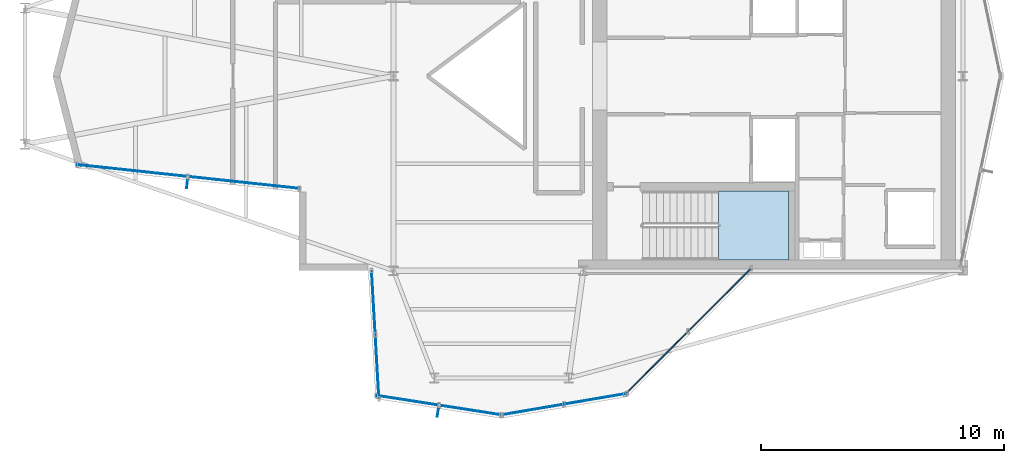
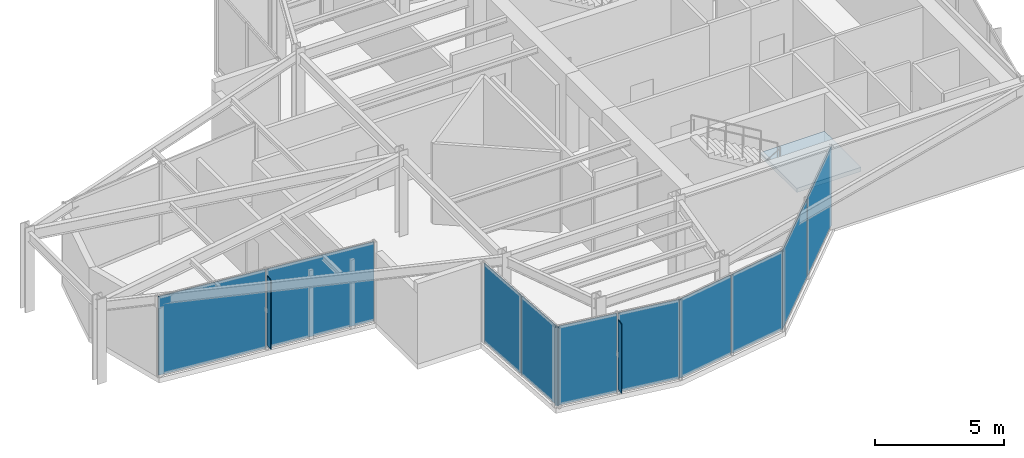
# One storey, part 8 of 13: 12 plates, 1 slab, 6 elements without a shape of their own.
"""IFC4 building model written with IfcOpenShell, lengths in metres."""

import ifcopenshell
import ifcopenshell.guid

model = None  # the IFC model being written
_history = None  # IfcOwnerHistory: only IFC2X3 demands one
_inside = {}  # id of a spatial element -> (the spatial element, [elements in it])
_under = {}  # id of a project, library or spatial element -> (it, [spatial elements below it])
_declared = {}  # id of a project -> (the project, [libraries it declares])
_typed = {}  # id of a type object -> (the type object, [elements of that type])
_made_of = {}  # id of a material, layer set ... -> (it, [elements and type objects made of it])


def new_model(schema):
    """Start an empty IFC model of exactly this schema.

    Asked for "IFC4X3", IfcOpenShell would pick the latest addendum, in which some entities
    have other attributes; the version numbers below select the first issue.
    IFC2X3 requires an IfcOwnerHistory on every rooted entity: one is made here for all.
    """
    global model, _history
    if schema == "IFC4X3":
        model = ifcopenshell.file(schema_version=(4, 3, 0, 0))
    else:
        model = ifcopenshell.file(schema=schema)
    _inside.clear()
    _under.clear()
    _declared.clear()
    _typed.clear()
    _made_of.clear()
    _history = None
    if model.schema == "IFC2X3":
        org = make("IfcOrganization", Name="unknown")
        user = make(
            "IfcPersonAndOrganization",
            ThePerson=make("IfcPerson", FamilyName="unknown"),
            TheOrganization=org,
        )
        app = make(
            "IfcApplication",
            ApplicationDeveloper=org,
            Version="unknown",
            ApplicationFullName="unknown",
            ApplicationIdentifier="unknown",
        )
        _history = make(
            "IfcOwnerHistory",
            OwningUser=user,
            OwningApplication=app,
            ChangeAction="ADDED",
            CreationDate=0,
        )
    return model


def make(cls, **values):
    """One entity of the class cls with the attributes given. An attribute that is None is left unset."""
    return model.create_entity(
        cls, **{name: value for name, value in values.items() if value is not None}
    )


def rooted(cls, **values):
    """An entity with a GlobalId (a new one), such as an element, a storey or a relation."""
    return make(cls, GlobalId=ifcopenshell.guid.new(), OwnerHistory=_history, **values)


def si_unit(unit_type, name, prefix=None):
    """IfcSIUnit, for example si_unit("LENGTHUNIT", "METRE", prefix="MILLI")."""
    return make("IfcSIUnit", UnitType=unit_type, Prefix=prefix, Name=name)


def assignment(units):
    """IfcUnitAssignment: the units of a project."""
    return None if units is None else make("IfcUnitAssignment", Units=units)


def point(xyz):
    """IfcCartesianPoint."""
    return None if xyz is None else make("IfcCartesianPoint", Coordinates=xyz)


def direction(xyz):
    """IfcDirection."""
    return None if xyz is None else make("IfcDirection", DirectionRatios=xyz)


def frame(location, z_axis=None, x_axis=None):
    """IfcAxis2Placement3D, a coordinate frame: its origin and axes. An axis left out is left unset."""
    return make(
        "IfcAxis2Placement3D",
        Location=point(location),
        Axis=direction(z_axis),
        RefDirection=direction(x_axis),
    )


def frame_2d(location, x_axis=None):
    """IfcAxis2Placement2D, a coordinate frame in the plane: its origin and x axis."""
    return make(
        "IfcAxis2Placement2D", Location=point(location), RefDirection=direction(x_axis)
    )


def origin():
    """The frame at (0, 0, 0) with its axes left unset."""
    return frame((0.0, 0.0, 0.0))


def origin_2d():
    """The frame at (0, 0) in the plane with its x axis left unset."""
    return frame_2d((0.0, 0.0))


def place(relative_to, where):
    """IfcLocalPlacement: puts the frame where relative to a parent placement (None: the world)."""
    return make(
        "IfcLocalPlacement", PlacementRelTo=relative_to, RelativePlacement=where
    )


def context(
    kind, dimensions, precision=None, world=None, true_north=None, identifier=None
):
    """IfcGeometricRepresentationContext, for example the 3D "Model" context."""
    return make(
        "IfcGeometricRepresentationContext",
        ContextIdentifier=identifier,
        ContextType=kind,
        CoordinateSpaceDimension=dimensions,
        Precision=precision,
        WorldCoordinateSystem=world,
        TrueNorth=true_north,
    )


def subcontext(parent, identifier, kind, view, scale=None):
    """IfcGeometricRepresentationSubContext, for example "Body" below "Model"."""
    return make(
        "IfcGeometricRepresentationSubContext",
        ContextIdentifier=identifier,
        ContextType=kind,
        ParentContext=parent,
        TargetScale=scale,
        TargetView=view,
    )


def project(units=None, contexts=None):
    """IfcProject with its units and contexts."""
    return rooted(
        "IfcProject",
        Name="project",
        RepresentationContexts=contexts,
        UnitsInContext=assignment(units),
    )


def spatial(cls, under=None, at=None, **own):
    """A site, building, storey or space (cls), placed at a placement, below another one or the project."""
    s = rooted(cls, ObjectPlacement=at, **own)
    if under is not None:
        _under.setdefault(under.id(), (under, []))[1].append(s)
    return s


def polyline(points):
    """IfcPolyline through the points."""
    return make("IfcPolyline", Points=[point(p) for p in points])


def profile(cls, at=None, kind="AREA", **sizes):
    """A parametric profile (cls). Its sizes go by their IFC names, for example OverallWidth=200.0."""
    return make(cls, ProfileType=kind, Position=at, **sizes)


def rectangle(**sizes):
    """IfcRectangleProfileDef."""
    return profile("IfcRectangleProfileDef", **sizes)


def outline(outer, holes=None, kind="AREA"):
    """IfcArbitraryClosedProfileDef: a profile drawn as a closed curve; with holes, ...WithVoids."""
    if holes is None:
        return make("IfcArbitraryClosedProfileDef", ProfileType=kind, OuterCurve=outer)
    return make(
        "IfcArbitraryProfileDefWithVoids",
        ProfileType=kind,
        OuterCurve=outer,
        InnerCurves=holes,
    )


def extrude(swept, where, along, depth):
    """IfcExtrudedAreaSolid: the profile swept, set in the frame where, extruded along a direction by depth."""
    return make(
        "IfcExtrudedAreaSolid",
        SweptArea=swept,
        Position=where,
        ExtrudedDirection=direction(along),
        Depth=depth,
    )


def shape(context_of_items, identifier, shape_type, items):
    """IfcShapeRepresentation: the items that make up one representation, for example the "Body"."""
    return make(
        "IfcShapeRepresentation",
        ContextOfItems=context_of_items,
        RepresentationIdentifier=identifier,
        RepresentationType=shape_type,
        Items=items,
    )


def material(Name=None, Category=None):
    """IfcMaterial."""
    return make("IfcMaterial", Name=Name, Category=Category)


def layer(
    of_material, thickness, ventilated=None, Name=None, Category=None, Priority=None
):
    """IfcMaterialLayer: one layer of a wall or slab, of a material (None: an air gap)."""
    return make(
        "IfcMaterialLayer",
        Material=of_material,
        LayerThickness=thickness,
        IsVentilated=ventilated,
        Name=Name,
        Category=Category,
        Priority=Priority,
    )


def layer_set(layers, Name=None):
    """IfcMaterialLayerSet."""
    return make("IfcMaterialLayerSet", MaterialLayers=layers, LayerSetName=Name)


def made_of(thing, what):
    """Note that an element or type object is made of a material, layer set ...; save() writes the relation."""
    if what is not None:
        _made_of.setdefault(what.id(), (what, []))[1].append(thing)
    return thing


def type_object(cls, material=None, **own):
    """A type object (cls), such as IfcWallType, which elements share."""
    return made_of(rooted(cls, **own), material)


def element(
    cls,
    number,
    at=None,
    inside=None,
    cuts=None,
    type_object=None,
    material=None,
    context=None,
    identifier="Body",
    shape_type=None,
    held_by="IfcProductDefinitionShape",
    body=None,
    shapes=None,
    **own,
):
    """One element of the class cls, such as IfcWall. Its Tag is "e" and its number.

    at: its placement. inside: the storey or other place that contains it. cuts: it is an
    opening in that element (IfcRelVoidsElement). A single representation is given by context,
    identifier, shape_type and body (its items); several are given by shapes. held_by: the class
    of the entity that holds the representations. save() writes the other relations.
    """
    e = rooted(cls, Tag="e%d" % number, ObjectPlacement=at, **own)
    if body is not None:
        shapes = [shape(context, identifier, shape_type, body)]
    if shapes is not None:
        e.Representation = make(held_by, Representations=shapes)
    if inside is not None:
        _inside.setdefault(inside.id(), (inside, []))[1].append(e)
    if cuts is not None:
        rooted(
            "IfcRelVoidsElement", RelatingBuildingElement=cuts, RelatedOpeningElement=e
        )
    if type_object is not None:
        _typed.setdefault(type_object.id(), (type_object, []))[1].append(e)
    return made_of(e, material)


def aggregate(whole, parts):
    """IfcRelAggregates: a whole, such as a stair, and the parts it consists of."""
    return rooted("IfcRelAggregates", RelatingObject=whole, RelatedObjects=parts)


def save(model, path):
    """Write the relations noted so far, then the file.

    IfcRelAggregates (storeys below a building ...), IfcRelContainedInSpatialStructure (elements
    in a storey), IfcRelDefinesByType, IfcRelAssociatesMaterial and IfcRelDeclares: one each for
    every whole, place, type object, material and project.
    """
    for whole, parts in _under.values():
        aggregate(whole, parts)
    for where, things in _inside.values():
        rooted(
            "IfcRelContainedInSpatialStructure",
            RelatedElements=things,
            RelatingStructure=where,
        )
    for kind, things in _typed.values():
        rooted("IfcRelDefinesByType", RelatedObjects=things, RelatingType=kind)
    for what, things in _made_of.values():
        rooted("IfcRelAssociatesMaterial", RelatedObjects=things, RelatingMaterial=what)
    for by, libraries in _declared.values():
        rooted("IfcRelDeclares", RelatingContext=by, RelatedDefinitions=libraries)
    model.write(path)


model = new_model("IFC4")

# Units and contexts
model_context = context("Model", 3, precision=1e-05, world=origin(), true_north=direction((0.0, 1.0)))
body_context = subcontext(model_context, "Body", "Model", "MODEL_VIEW")
ifc_project = project(units=[si_unit("LENGTHUNIT", "METRE"), si_unit("AREAUNIT", "SQUARE_METRE"), si_unit("VOLUMEUNIT", "CUBIC_METRE"), si_unit("PLANEANGLEUNIT", "RADIAN"), si_unit("MASSUNIT", "GRAM", prefix="KILO")], contexts=[model_context])

# Site, building, storey
site_placement = place(None, origin())
site = spatial("IfcSite", under=ifc_project, at=site_placement, CompositionType="ELEMENT")
building_placement = place(site_placement, origin())
building = spatial("IfcBuilding", under=site, at=building_placement, Name="Veymaron Broadcast Tower", CompositionType="ELEMENT")
storey_placement = place(building_placement, frame((0.0, 0.0, 303.300048828125)))
storey = spatial("IfcBuildingStorey", under=building, at=storey_placement, Name="L71", CompositionType="ELEMENT", Elevation=303.300048828125)

# Curtain wall, plates
ifc_material_1 = material(Name="Anodised aluminium AA 6063-T6 and laminated low-E dark glass", Category="aluminium")
ifc_layer_1 = layer(ifc_material_1, 0.179931640625)
ifc_layer_set_1 = layer_set([ifc_layer_1], Name="Anodised aluminium AA 6063-T6 and laminated low-E dark glass")
curtain_wall_type = type_object("IfcCurtainWallType", Name="CW-SYS-06", PredefinedType="NOTDEFINED", material=ifc_layer_set_1)
curtain_wall_1_placement = place(storey_placement, origin())
curtain_wall_1 = element("IfcCurtainWall", 1, at=curtain_wall_1_placement, inside=storey, type_object=curtain_wall_type, Name="L71 dark-glass curtain wall CW-L71-E14-1", PredefinedType="NOTDEFINED")
ifc_material_2 = material(Name="Insulated dark-anodised aluminium spandrel panel 40 mm", Category="aluminium")
ifc_layer_2 = layer(ifc_material_2, 0.0400390625)
ifc_layer_set_2 = layer_set([ifc_layer_2], Name="Insulated dark-anodised aluminium spandrel panel 40 mm")
plate_type_1 = type_object("IfcPlateType", Name="CW-PNL-03", PredefinedType="CURTAIN_PANEL", material=ifc_layer_set_2)
plate_1_placement = place(storey_placement, frame((20.46337890625, 20.114013671875, 0.0400390625), z_axis=(0.0, 0.0, 1.0), x_axis=(0.994321239945, -0.106420260264, 0.0)))
plate_1 = element("IfcPlate", 2, at=plate_1_placement, type_object=plate_type_1, Name="CW-L71-E14-1 unitised curtain panel 0", PredefinedType="CURTAIN_PANEL", context=body_context, shape_type="SweptSolid", body=[
    extrude(rectangle(XDim=4.54296875, YDim=0.0400390625, at=origin_2d()), origin(), (0.0, 0.0, 1.0), 3.72998046875),
])
plate_2_placement = place(storey_placement, frame((25.0400390625, 19.624267578125, 0.0400390625), z_axis=(0.0, 0.0, 1.0), x_axis=(0.994321239945, -0.106420260264, 0.0)))
plate_2 = element("IfcPlate", 3, at=plate_2_placement, type_object=plate_type_1, Name="CW-L71-E14-1 unitised curtain panel 1", PredefinedType="CURTAIN_PANEL", context=body_context, shape_type="SweptSolid", body=[
    extrude(rectangle(XDim=4.54296875, YDim=0.0400390625, at=origin_2d()), origin(), (0.0, 0.0, 1.0), 3.72998046875),
])
aggregate(curtain_wall_1, [plate_1, plate_2])

curtain_wall_2_placement = place(storey_placement, origin())
curtain_wall_2 = element("IfcCurtainWall", 4, at=curtain_wall_2_placement, inside=storey, type_object=curtain_wall_type, Name="L71 dark-glass curtain wall CW-L71-E17-1", PredefinedType="NOTDEFINED")
plate_3_placement = place(storey_placement, frame((30.375732421875, 14.69189453125, 0.0400390625), z_axis=(0.0, 0.0, 1.0), x_axis=(0.057720845415, -0.998332762161, 0.0)))
plate_3 = element("IfcPlate", 5, at=plate_3_placement, type_object=plate_type_1, Name="CW-L71-E17-1 unitised curtain panel 0", PredefinedType="CURTAIN_PANEL", context=body_context, shape_type="SweptSolid", body=[
    extrude(rectangle(XDim=2.576904296875, YDim=0.0400390625, at=origin_2d()), origin(), (0.0, 0.0, 1.0), 3.72998046875),
])
plate_4_placement = place(storey_placement, frame((30.528076171875, 12.05908203125, 0.0400390625), z_axis=(0.0, 0.0, 1.0), x_axis=(0.057720845415, -0.998332762161, 0.0)))
plate_4 = element("IfcPlate", 6, at=plate_4_placement, type_object=plate_type_1, Name="CW-L71-E17-1 unitised curtain panel 1", PredefinedType="CURTAIN_PANEL", context=body_context, shape_type="SweptSolid", body=[
    extrude(rectangle(XDim=2.576904296875, YDim=0.0400390625, at=origin_2d()), origin(), (0.0, 0.0, 1.0), 3.72998046875),
])
aggregate(curtain_wall_2, [plate_3, plate_4])

curtain_wall_3_placement = place(storey_placement, origin())
curtain_wall_3 = element("IfcCurtainWall", 7, at=curtain_wall_3_placement, inside=storey, type_object=curtain_wall_type, Name="L71 dark-glass curtain wall CW-L71-E18-1", PredefinedType="NOTDEFINED")
plate_5_placement = place(storey_placement, frame((31.779052734375, 10.672119140625, 0.0400390625), z_axis=(0.0, 0.0, 1.0), x_axis=(0.988134743341, -0.153589482068, 0.0)))
plate_5 = element("IfcPlate", 8, at=plate_5_placement, type_object=plate_type_1, Name="CW-L71-E18-1 unitised curtain panel 0", PredefinedType="CURTAIN_PANEL", context=body_context, shape_type="SweptSolid", body=[
    extrude(rectangle(XDim=2.5576171875, YDim=0.0400390625, at=origin_2d()), origin(), (0.0, 0.0, 1.0), 3.72998046875),
])
plate_6_placement = place(storey_placement, frame((34.365478515625, 10.27001953125, 0.0400390625), z_axis=(0.0, 0.0, 1.0), x_axis=(0.988134743341, -0.153589482068, 0.0)))
plate_6 = element("IfcPlate", 9, at=plate_6_placement, type_object=plate_type_1, Name="CW-L71-E18-1 unitised curtain panel 1", PredefinedType="CURTAIN_PANEL", context=body_context, shape_type="SweptSolid", body=[
    extrude(rectangle(XDim=2.5576171875, YDim=0.0400390625, at=origin_2d()), origin(), (0.0, 0.0, 1.0), 3.72998046875),
])
aggregate(curtain_wall_3, [plate_5, plate_6])

curtain_wall_4_placement = place(storey_placement, origin())
curtain_wall_4 = element("IfcCurtainWall", 10, at=curtain_wall_4_placement, inside=storey, type_object=curtain_wall_type, Name="L71 dark-glass curtain wall CW-L71-E19-1", PredefinedType="NOTDEFINED")
plate_7_placement = place(storey_placement, frame((36.90673828125, 10.289794921875, 0.0400390625), z_axis=(0.0, 0.0, 1.0), x_axis=(0.985697587099, 0.168523787004, 0.0)))
plate_7 = element("IfcPlate", 11, at=plate_7_placement, type_object=plate_type_1, Name="CW-L71-E19-1 unitised curtain panel 0", PredefinedType="CURTAIN_PANEL", context=body_context, shape_type="SweptSolid", body=[
    extrude(rectangle(XDim=2.56396484375, YDim=0.0400390625, at=origin_2d()), origin(), (0.0, 0.0, 1.0), 3.72998046875),
])
plate_8_placement = place(storey_placement, frame((39.493408203125, 10.732177734375, 0.0400390625), z_axis=(0.0, 0.0, 1.0), x_axis=(0.985697587099, 0.168523787004, 0.0)))
plate_8 = element("IfcPlate", 12, at=plate_8_placement, type_object=plate_type_1, Name="CW-L71-E19-1 unitised curtain panel 1", PredefinedType="CURTAIN_PANEL", context=body_context, shape_type="SweptSolid", body=[
    extrude(rectangle(XDim=2.56396484375, YDim=0.0400390625, at=origin_2d()), origin(), (0.0, 0.0, 1.0), 3.72998046875),
])
aggregate(curtain_wall_4, [plate_7, plate_8])

curtain_wall_5_placement = place(storey_placement, origin())
curtain_wall_5 = element("IfcCurtainWall", 13, at=curtain_wall_5_placement, inside=storey, type_object=curtain_wall_type, Name="L71 dark-glass curtain wall CW-L71-E20-1", PredefinedType="NOTDEFINED")
plate_9_placement = place(storey_placement, frame((42.00830078125, 12.21044921875, 0.0400390625), z_axis=(0.0, 0.0, 1.0), x_axis=(0.707402911339, 0.706810526965, 0.0)))
plate_9 = element("IfcPlate", 14, at=plate_9_placement, type_object=plate_type_1, Name="CW-L71-E20-1 unitised curtain panel 0", PredefinedType="CURTAIN_PANEL", context=body_context, shape_type="SweptSolid", body=[
    extrude(rectangle(XDim=3.60791015625, YDim=0.0400390625, at=origin_2d()), origin(), (0.0, 0.0, 1.0), 3.72998046875),
])
plate_10_placement = place(storey_placement, frame((44.60302734375, 14.802734375, 0.0400390625), z_axis=(0.0, 0.0, 1.0), x_axis=(0.707402911339, 0.706810526965, 0.0)))
plate_10 = element("IfcPlate", 15, at=plate_10_placement, type_object=plate_type_1, Name="CW-L71-E20-1 unitised curtain panel 1", PredefinedType="CURTAIN_PANEL", context=body_context, shape_type="SweptSolid", body=[
    extrude(rectangle(XDim=3.60791015625, YDim=0.0400390625, at=origin_2d()), origin(), (0.0, 0.0, 1.0), 3.72998046875),
])
aggregate(curtain_wall_5, [plate_9, plate_10])

# Plates
ifc_material_3 = material(Name="Dark-anodised aluminium AA 6061-T6", Category="aluminium")
ifc_layer_3 = layer(ifc_material_3, 0.030029296875)
ifc_layer_set_3 = layer_set([ifc_layer_3], Name="Dark-anodised aluminium AA 6061-T6")
plate_type_2 = type_object("IfcPlateType", Name="FIN-CHEV-02", PredefinedType="USERDEFINED", material=ifc_layer_set_3)
for number, where, z_axis, x_axis, name in (
    (16, (22.71923828125, 19.56591796875, 0.2666015625), (0.0, 0.0, 1.0), (-0.106420260264, -0.994321239945, 0.0), "CW-L71-E14-1 chevron fin 1"),
    (17, (33.025390625, 10.169677734375, 0.2666015625), (0.0, 0.0, 1.0), (-0.153589482068, -0.988134743341, 0.0), "CW-L71-E18-1 chevron fin 1"),
):
    element("IfcPlate", number, at=place(storey_placement, frame(where, z_axis=z_axis, x_axis=x_axis)), inside=storey, type_object=plate_type_2, Name=name, ObjectType="FIN", PredefinedType="USERDEFINED", context=body_context, shape_type="SweptSolid", body=[
        extrude(rectangle(XDim=0.35009765625, YDim=0.034912109375, at=origin_2d()), origin(), (0.0, 0.0, 1.0), 3.276611328125),
    ])

# Stair, slab
ifc_material_4 = material(Name="Concrete C50/60", Category="concrete")
stair_type = type_object("IfcStairType", Name="STAIR-CORE-2", PredefinedType="HALF_TURN_STAIR", material=ifc_material_4)
stair_placement = place(storey_placement, origin())
stair = element("IfcStair", 18, at=stair_placement, inside=storey, type_object=stair_type, Name="L71 South protected dog-leg exit stair ST2", PredefinedType="HALF_TURN_STAIR")
ifc_layer_4 = layer(ifc_material_4, 0.199951171875)
ifc_layer_set_4 = layer_set([ifc_layer_4], Name="Concrete C50/60")
slab_type = type_object("IfcSlabType", Name="SLAB-STAIR-LDG", PredefinedType="LANDING", material=ifc_layer_set_4)
slab_placement = place(storey_placement, frame((0.0, 0.0, 1.824951171875)))
slab = element("IfcSlab", 19, at=slab_placement, type_object=slab_type, Name="ST2 landing 1", PredefinedType="LANDING", context=body_context, shape_type="SweptSolid", body=[
    extrude(outline(polyline([(44.56494140625, 16.449951171875), (47.43994140625, 16.449951171875), (47.43994140625, 19.27001953125), (44.56494140625, 19.27001953125), (44.56494140625, 16.449951171875)])), origin(), (0.0, 0.0, 1.0), 0.199951171875),
])
aggregate(stair, [slab])

save(model, "model.ifc")
